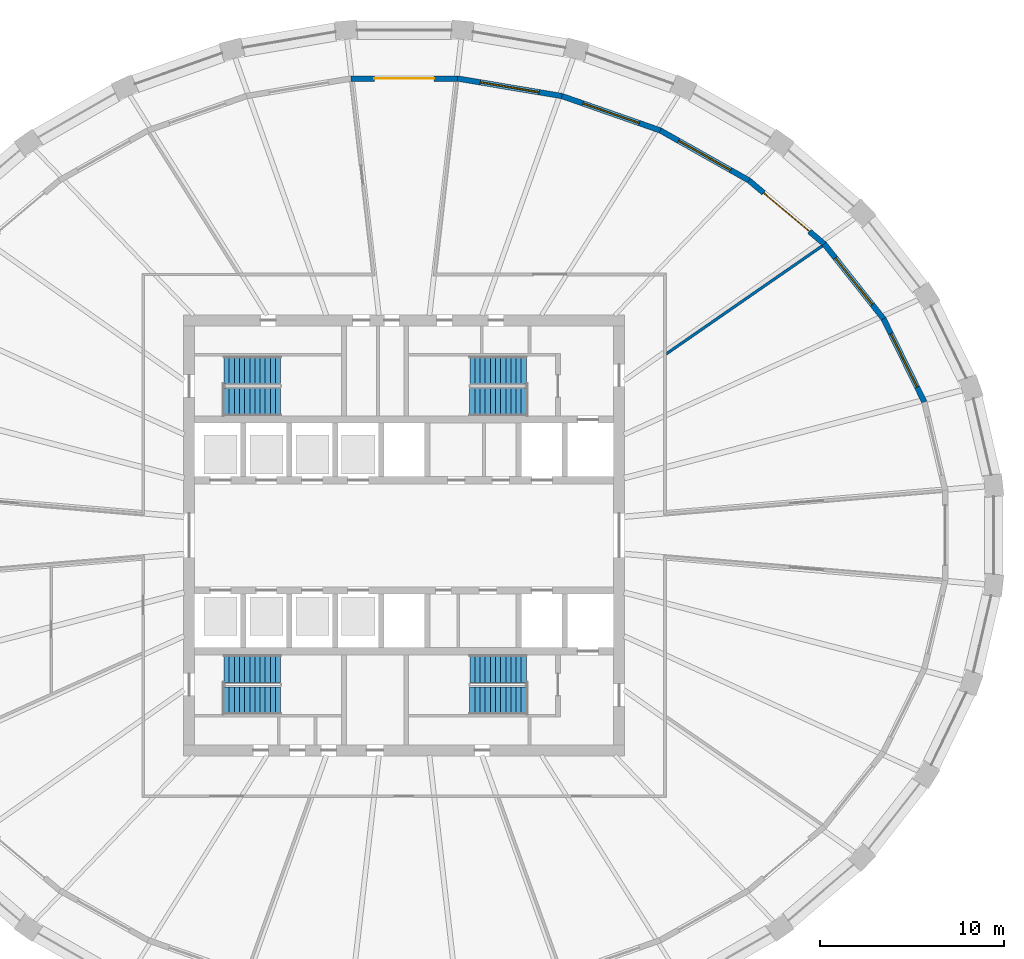
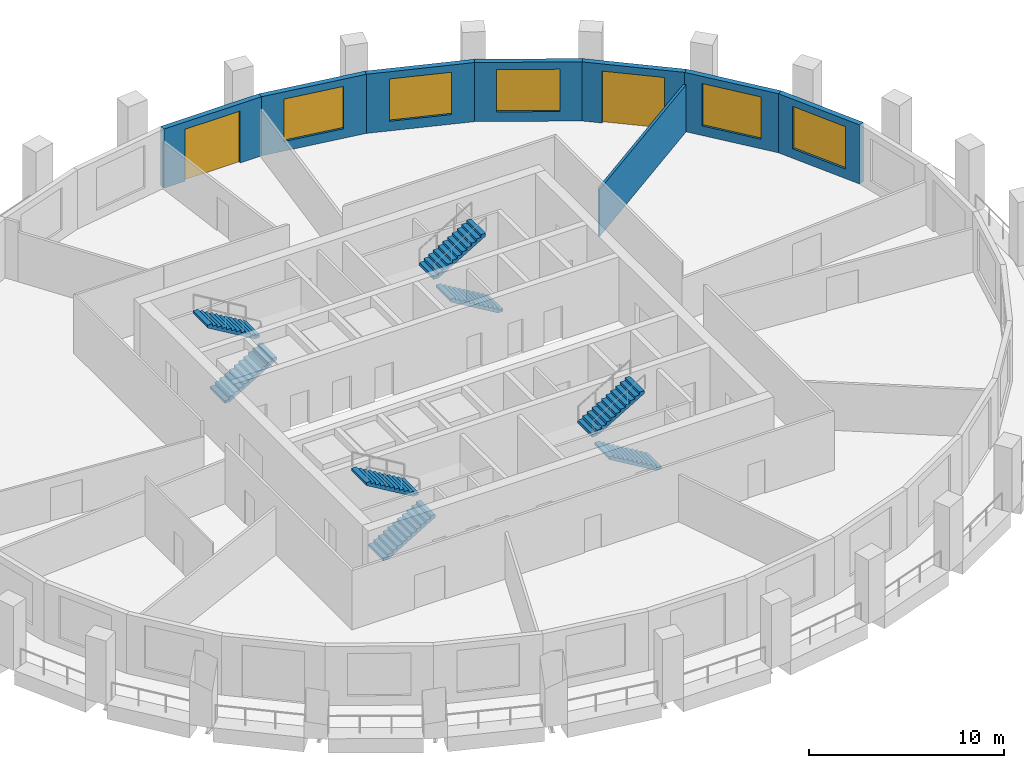
# One storey, part 7 of 10: 8 stair flights, 8 walls, 5 windows, 2 doors, 7 openings, 4 elements without a shape of their own.
"""IFC4 building model written with IfcOpenShell, lengths in metres."""

from ifc_helpers import new_model, si_unit, direction, frame, frame_2d, origin, place, context, subcontext, project, spatial, polyline, rectangle, outline, extrude, material, layer, layer_set, type_object, element, fill, aggregate, save


model = new_model("IFC4")

# Units and contexts
model_context = context("Model", 3, precision=1e-05, world=origin(), true_north=direction((0.0, 1.0)))
body_context = subcontext(model_context, "Body", "Model", "MODEL_VIEW")
ifc_project = project(units=[si_unit("LENGTHUNIT", "METRE"), si_unit("AREAUNIT", "SQUARE_METRE"), si_unit("VOLUMEUNIT", "CUBIC_METRE"), si_unit("PLANEANGLEUNIT", "RADIAN"), si_unit("MASSUNIT", "GRAM", prefix="KILO")], contexts=[model_context])

# Site, building, storey
site_placement = place(None, origin())
site = spatial("IfcSite", under=ifc_project, at=site_placement, CompositionType="ELEMENT")
building_placement = place(site_placement, origin())
building = spatial("IfcBuilding", under=site, at=building_placement, Name="Halqa Exchange Tower", CompositionType="ELEMENT")
storey_placement = place(building_placement, frame((0.0, 0.0, 206.89990234375)))
storey = spatial("IfcBuildingStorey", under=building, at=storey_placement, Name="L47", CompositionType="ELEMENT", Elevation=206.89990234375)

# Wall
ifc_material_1 = material(Name="Fire-rated gypsum board")
ifc_layer_1 = layer(ifc_material_1, 0.14990234375)
ifc_layer_set_1 = layer_set([ifc_layer_1], Name="Fire-rated gypsum board")
wall_type_1 = type_object("IfcWallType", Name="Fire partition EI 60 150", PredefinedType="PARTITIONING", material=ifc_layer_set_1)
wall_1_placement = place(storey_placement, frame((14.232421875, 9.8525390625, 0.0), z_axis=(0.0, 0.0, 1.0), x_axis=(0.822298116352, 0.569056946047, 0.0)))
element("IfcWall", 1, at=wall_1_placement, inside=storey, type_object=wall_type_1, Name="L47-PWL-020", PredefinedType="PARTITIONING", context=body_context, shape_type="SweptSolid", body=[
    extrude(outline(polyline([(10.370361328125, -0.074951171875), (10.370361328125, -0.070068359375), (10.36572265625, 0.001953125), (10.345947265625, 0.074951171875), (8.638916015625, 0.074951171875), (6.931884765625, 0.074951171875), (5.224853515625, 0.074951171875), (3.517822265625, 0.074951171875), (1.810791015625, 0.074951171875), (0.103759765625, 0.074951171875), (0.0, -0.07470703125), (0.0, -0.074951171875), (1.728515625, -0.074951171875), (3.456787109375, -0.074951171875), (5.18505859375, -0.074951171875), (6.91357421875, -0.074951171875), (8.64208984375, -0.074951171875), (10.370361328125, -0.074951171875)])), origin(), (0.0, 0.0, 1.0), 2.947021484375),
])

# Wall, opening, window
ifc_material_2 = material(Name="Limestone cladding", Category="masonry")
ifc_layer_2 = layer(ifc_material_2, 0.0400390625)
ifc_material_3 = material(Name="Ventilated cavity")
ifc_layer_3 = layer(ifc_material_3, 0.030029296875, ventilated=True)
ifc_material_4 = material(Name="Mineral wool insulation")
ifc_layer_4 = layer(ifc_material_4, 0.10009765625)
ifc_material_5 = material(Name="Concrete C30/37", Category="concrete")
ifc_layer_5 = layer(ifc_material_5, 0.10009765625)
ifc_material_6 = material(Name="Internal plaster")
ifc_layer_6 = layer(ifc_material_6, 0.030029296875)
ifc_layer_set_2 = layer_set([ifc_layer_2, ifc_layer_3, ifc_layer_4, ifc_layer_5, ifc_layer_6], Name="Stone-faced insulated wall 300")
wall_type_2 = type_object("IfcWallType", Name="Stone-faced insulated wall 300", PredefinedType="STANDARD", material=ifc_layer_set_2)
wall_2_placement = place(storey_placement, frame((28.311279296875, 7.259033203125, 0.0), z_axis=(0.0, 0.0, 1.0), x_axis=(-0.440773193145, 0.89761851151, 0.0)))
wall_2 = element("IfcWall", 2, at=wall_2_placement, inside=storey, type_object=wall_type_2, Name="Glass-line wall 2", PredefinedType="STANDARD", context=body_context, shape_type="SweptSolid", body=[
    extrude(outline(polyline([(-0.016845703125, -0.14990234375), (5.059326171875, -0.14990234375), (5.027099609375, 0.14990234375), (0.016845703125, 0.14990234375), (-0.016845703125, -0.14990234375)])), origin(), (0.0, 0.0, 1.0), 3.7001953125),
])
opening_1_placement = place(wall_2_placement, frame((0.896484375, 0.0, 0.60009765625)))
opening_1 = element("IfcOpeningElement", 3, at=opening_1_placement, cuts=wall_2, Name="Opening W-F3-02", PredefinedType="OPENING", context=body_context, shape_type="SweptSolid", body=[
    extrude(rectangle(XDim=3.25, YDim=2.64990234375, at=frame_2d((1.625, 1.324951171875))), frame((0.0, 0.162109375, 0.0), z_axis=(0.0, -1.0, 0.0), x_axis=(1.0, 0.0, 0.0)), (0.0, 0.0, 1.0), 0.323974609375),
])
ifc_material_7 = material(Name="Clear low-emissivity glass in aluminium frame", Category="aluminium")
window_type = type_object("IfcWindowType", Name="Fixed clear glazed window 3250 x 2650", PartitioningType="TRIPLE_PANEL_VERTICAL", PredefinedType="WINDOW", material=ifc_material_7)
window_1_placement = place(opening_1_placement, origin())
window_1 = element("IfcWindow", 4, at=window_1_placement, inside=storey, type_object=window_type, Name="Window 3", OverallHeight=2.64990234375, OverallWidth=3.25, PartitioningType="TRIPLE_PANEL_VERTICAL", PredefinedType="WINDOW", context=body_context, shape_type="SweptSolid", body=[
    extrude(rectangle(XDim=3.25, YDim=2.64990234375, at=frame_2d((1.625, 1.324951171875))), frame((0.0, 0.030029296875, 0.0), z_axis=(0.0, -1.0, 0.0), x_axis=(1.0, 0.0, 0.0)), (0.0, 0.0, 1.0), 0.06005859375),
])
fill(opening_1, window_1)

wall_3_placement = place(storey_placement, frame((26.08837890625, 11.785888671875, 0.0), z_axis=(0.0, 0.0, 1.0), x_axis=(-0.620870264345, 0.783913333763, 0.0)))
wall_3 = element("IfcWall", 5, at=wall_3_placement, inside=storey, type_object=wall_type_2, Name="Glass-line wall 3", PredefinedType="STANDARD", context=body_context, shape_type="SweptSolid", body=[
    extrude(outline(polyline([(-0.01611328125, -0.14990234375), (5.209716796875, -0.14990234375), (5.179443359375, 0.14990234375), (0.01611328125, 0.14990234375), (-0.01611328125, -0.14990234375)])), origin(), (0.0, 0.0, 1.0), 3.7001953125),
])
opening_2_placement = place(wall_3_placement, frame((0.97216796875, 0.0, 0.60009765625)))
opening_2 = element("IfcOpeningElement", 6, at=opening_2_placement, cuts=wall_3, Name="Opening W-F3-03", PredefinedType="OPENING", context=body_context, shape_type="SweptSolid", body=[
    extrude(rectangle(XDim=3.25, YDim=2.64990234375, at=frame_2d((1.625, 1.324951171875))), frame((0.0, 0.162109375, 0.0), z_axis=(0.0, -1.0, 0.0), x_axis=(1.0, 0.0, 0.0)), (0.0, 0.0, 1.0), 0.323974609375),
])
window_2_placement = place(opening_2_placement, origin())
window_2 = element("IfcWindow", 7, at=window_2_placement, inside=storey, type_object=window_type, Name="Window 3", OverallHeight=2.64990234375, OverallWidth=3.25, PartitioningType="TRIPLE_PANEL_VERTICAL", PredefinedType="WINDOW", context=body_context, shape_type="SweptSolid", body=[
    extrude(rectangle(XDim=3.25, YDim=2.64990234375, at=frame_2d((1.625, 1.324951171875))), frame((0.0, 0.030029296875, 0.0), z_axis=(0.0, -1.0, 0.0), x_axis=(1.0, 0.0, 0.0)), (0.0, 0.0, 1.0), 0.06005859375),
])
fill(opening_2, window_2)

# Wall, opening, door
wall_4_placement = place(storey_placement, frame((22.86328125, 15.85791015625, 0.0), z_axis=(0.0, 0.0, 1.0), x_axis=(-0.764386053229, 0.6447588399, 0.0)))
wall_4 = element("IfcWall", 8, at=wall_4_placement, inside=storey, type_object=wall_type_2, Name="Glass-line wall 4", PredefinedType="STANDARD", context=body_context, shape_type="SweptSolid", body=[
    extrude(outline(polyline([(-0.01513671875, -0.14990234375), (5.381591796875, -0.14990234375), (5.353271484375, 0.14990234375), (0.01513671875, 0.14990234375), (-0.01513671875, -0.14990234375)])), origin(), (0.0, 0.0, 1.0), 3.7001953125),
])
opening_3_placement = place(wall_4_placement, frame((1.058837890625, 0.0, 0.0)))
opening_3 = element("IfcOpeningElement", 9, at=opening_3_placement, cuts=wall_4, Name="Opening LG-F3-01", PredefinedType="OPENING", context=body_context, shape_type="SweptSolid", body=[
    extrude(rectangle(XDim=3.25, YDim=3.25, at=frame_2d((1.625, 1.625))), frame((0.0, 0.162109375, 0.0), z_axis=(0.0, -1.0, 0.0), x_axis=(1.0, 0.0, 0.0)), (0.0, 0.0, 1.0), 0.323974609375),
])
door_type = type_object("IfcDoorType", Name="Glazed sliding loggia door 3250 x 3250", OperationType="DOUBLE_DOOR_SLIDING", PredefinedType="DOOR", material=ifc_material_7)
door_1_placement = place(opening_3_placement, origin())
door_1 = element("IfcDoor", 10, at=door_1_placement, inside=storey, type_object=door_type, Name="Loggia door 1", OperationType="DOUBLE_DOOR_SLIDING", OverallHeight=3.25, OverallWidth=3.25, PredefinedType="DOOR", context=body_context, shape_type="SweptSolid", body=[
    extrude(rectangle(XDim=3.25, YDim=3.25, at=frame_2d((1.625, 1.625))), frame((0.0, 0.02490234375, 0.0), z_axis=(0.0, -1.0, 0.0), x_axis=(1.0, 0.0, 0.0)), (0.0, 0.0, 1.0), 0.050048828125),
])
fill(opening_3, door_1)

# Wall, opening, window
wall_5_placement = place(storey_placement, frame((18.760498046875, 19.318603515625, 0.0), z_axis=(0.0, 0.0, 1.0), x_axis=(-0.871140546168, 0.491033755278, 0.0)))
wall_5 = element("IfcWall", 11, at=wall_5_placement, inside=storey, type_object=wall_type_2, Name="Glass-line wall 5", PredefinedType="STANDARD", context=body_context, shape_type="SweptSolid", body=[
    extrude(outline(polyline([(-0.01416015625, -0.14990234375), (5.548828125, -0.14990234375), (5.52197265625, 0.14990234375), (0.01416015625, 0.14990234375), (-0.01416015625, -0.14990234375)])), origin(), (0.0, 0.0, 1.0), 3.7001953125),
])
opening_4_placement = place(wall_5_placement, frame((1.142578125, 0.0, 0.60009765625)))
opening_4 = element("IfcOpeningElement", 12, at=opening_4_placement, cuts=wall_5, Name="Opening W-F3-05", PredefinedType="OPENING", context=body_context, shape_type="SweptSolid", body=[
    extrude(rectangle(XDim=3.25, YDim=2.64990234375, at=frame_2d((1.625, 1.324951171875))), frame((0.0, 0.162109375, 0.0), z_axis=(0.0, -1.0, 0.0), x_axis=(1.0, 0.0, 0.0)), (0.0, 0.0, 1.0), 0.323974609375),
])
window_3_placement = place(opening_4_placement, origin())
window_3 = element("IfcWindow", 13, at=window_3_placement, inside=storey, type_object=window_type, Name="Window 3", OverallHeight=2.64990234375, OverallWidth=3.25, PartitioningType="TRIPLE_PANEL_VERTICAL", PredefinedType="WINDOW", context=body_context, shape_type="SweptSolid", body=[
    extrude(rectangle(XDim=3.25, YDim=2.64990234375, at=frame_2d((1.625, 1.324951171875))), frame((0.0, 0.030029296875, 0.0), z_axis=(0.0, -1.0, 0.0), x_axis=(1.0, 0.0, 0.0)), (0.0, 0.0, 1.0), 0.06005859375),
])
fill(opening_4, window_3)

wall_6_placement = place(storey_placement, frame((13.9384765625, 22.03662109375, 0.0), z_axis=(0.0, 0.0, 1.0), x_axis=(-0.944023272224, 0.329878858824, 0.0)))
wall_6 = element("IfcWall", 14, at=wall_6_placement, inside=storey, type_object=wall_type_2, Name="Glass-line wall 6", PredefinedType="STANDARD", context=body_context, shape_type="SweptSolid", body=[
    extrude(outline(polyline([(-0.013427734375, -0.14990234375), (5.686279296875, -0.14990234375), (5.660888671875, 0.14990234375), (0.013427734375, 0.14990234375), (-0.013427734375, -0.14990234375)])), origin(), (0.0, 0.0, 1.0), 3.7001953125),
])
opening_5_placement = place(wall_6_placement, frame((1.2119140625, 0.0, 0.60009765625)))
opening_5 = element("IfcOpeningElement", 15, at=opening_5_placement, cuts=wall_6, Name="Opening W-F3-06", PredefinedType="OPENING", context=body_context, shape_type="SweptSolid", body=[
    extrude(rectangle(XDim=3.25, YDim=2.64990234375, at=frame_2d((1.625, 1.324951171875))), frame((0.0, 0.162109375, 0.0), z_axis=(0.0, -1.0, 0.0), x_axis=(1.0, 0.0, 0.0)), (0.0, 0.0, 1.0), 0.323974609375),
])
window_4_placement = place(opening_5_placement, origin())
window_4 = element("IfcWindow", 16, at=window_4_placement, inside=storey, type_object=window_type, Name="Window 3", OverallHeight=2.64990234375, OverallWidth=3.25, PartitioningType="TRIPLE_PANEL_VERTICAL", PredefinedType="WINDOW", context=body_context, shape_type="SweptSolid", body=[
    extrude(rectangle(XDim=3.25, YDim=2.64990234375, at=frame_2d((1.625, 1.324951171875))), frame((0.0, 0.030029296875, 0.0), z_axis=(0.0, -1.0, 0.0), x_axis=(1.0, 0.0, 0.0)), (0.0, 0.0, 1.0), 0.06005859375),
])
fill(opening_5, window_4)

wall_7_placement = place(storey_placement, frame((8.58251953125, 23.908203125, 0.0), z_axis=(0.0, 0.0, 1.0), x_axis=(-0.98622052717, 0.165436005116, 0.0)))
wall_7 = element("IfcWall", 17, at=wall_7_placement, inside=storey, type_object=wall_type_2, Name="Glass-line wall 7", PredefinedType="STANDARD", context=body_context, shape_type="SweptSolid", body=[
    extrude(outline(polyline([(-0.0126953125, -0.14990234375), (5.776611328125, -0.14990234375), (5.751708984375, 0.14990234375), (0.0126953125, 0.14990234375), (-0.0126953125, -0.14990234375)])), origin(), (0.0, 0.0, 1.0), 3.7001953125),
])
opening_6_placement = place(wall_7_placement, frame((1.257080078125, 0.0, 0.60009765625)))
opening_6 = element("IfcOpeningElement", 18, at=opening_6_placement, cuts=wall_7, Name="Opening W-F3-07", PredefinedType="OPENING", context=body_context, shape_type="SweptSolid", body=[
    extrude(rectangle(XDim=3.25, YDim=2.64990234375, at=frame_2d((1.625, 1.324951171875))), frame((0.0, 0.162109375, 0.0), z_axis=(0.0, -1.0, 0.0), x_axis=(1.0, 0.0, 0.0)), (0.0, 0.0, 1.0), 0.323974609375),
])
window_5_placement = place(opening_6_placement, origin())
window_5 = element("IfcWindow", 19, at=window_5_placement, inside=storey, type_object=window_type, Name="Window 3", OverallHeight=2.64990234375, OverallWidth=3.25, PartitioningType="TRIPLE_PANEL_VERTICAL", PredefinedType="WINDOW", context=body_context, shape_type="SweptSolid", body=[
    extrude(rectangle(XDim=3.25, YDim=2.64990234375, at=frame_2d((1.625, 1.324951171875))), frame((0.0, 0.030029296875, 0.0), z_axis=(0.0, -1.0, 0.0), x_axis=(1.0, 0.0, 0.0)), (0.0, 0.0, 1.0), 0.06005859375),
])
fill(opening_6, window_5)

# Wall, opening, door
wall_8_placement = place(storey_placement, frame((2.897705078125, 24.86181640625, 0.0), z_axis=(0.0, 0.0, 1.0), x_axis=(-1.0, 0.0, 0.0)))
wall_8 = element("IfcWall", 20, at=wall_8_placement, inside=storey, type_object=wall_type_2, Name="Glass-line wall 8", PredefinedType="STANDARD", context=body_context, shape_type="SweptSolid", body=[
    extrude(outline(polyline([(-0.012451171875, -0.14990234375), (5.807861328125, -0.14990234375), (5.782958984375, 0.14990234375), (0.012451171875, 0.14990234375), (-0.012451171875, -0.14990234375)])), origin(), (0.0, 0.0, 1.0), 3.7001953125),
])
opening_7_placement = place(wall_8_placement, frame((1.272705078125, 0.0, 0.0)))
opening_7 = element("IfcOpeningElement", 21, at=opening_7_placement, cuts=wall_8, Name="Opening LG-F3-02", PredefinedType="OPENING", context=body_context, shape_type="SweptSolid", body=[
    extrude(rectangle(XDim=3.25, YDim=3.25, at=frame_2d((1.625, 1.625))), frame((0.0, 0.162109375, 0.0), z_axis=(0.0, -1.0, 0.0), x_axis=(1.0, 0.0, 0.0)), (0.0, 0.0, 1.0), 0.323974609375),
])
door_2_placement = place(opening_7_placement, origin())
door_2 = element("IfcDoor", 22, at=door_2_placement, inside=storey, type_object=door_type, Name="Loggia door 2", OperationType="DOUBLE_DOOR_SLIDING", OverallHeight=3.25, OverallWidth=3.25, PredefinedType="DOOR", context=body_context, shape_type="SweptSolid", body=[
    extrude(rectangle(XDim=3.25, YDim=3.25, at=frame_2d((1.625, 1.625))), frame((0.0, 0.02490234375, 0.0), z_axis=(0.0, -1.0, 0.0), x_axis=(1.0, 0.0, 0.0)), (0.0, 0.0, 1.0), 0.050048828125),
])
fill(opening_7, door_2)

# Stair, stair flights
stair_type = type_object("IfcStairType", Name="Exit stair 1500 wide", PredefinedType="HALF_TURN_STAIR", material=ifc_material_5)
stair_1_placement = place(storey_placement, origin())
stair_1 = element("IfcStair", 23, at=stair_1_placement, inside=storey, type_object=stair_type, Name="Exit stair ST1", PredefinedType="HALF_TURN_STAIR")
stair_flight_type = type_object("IfcStairFlightType", Name="Stair flight 1500 wide", PredefinedType="STRAIGHT", material=ifc_material_5)
stair_flight_1_placement = place(storey_placement, frame((-9.800048828125, 7.25, 0.0), z_axis=(0.0, 0.0, 1.0), x_axis=(1.0, 0.0, 0.0)))
stair_flight_1 = element("IfcStairFlight", 24, at=stair_flight_1_placement, type_object=stair_flight_type, Name="ST1 flight 1", NumberOfRisers=12, NumberOfTreads=11, PredefinedType="STRAIGHT", RiserHeight=0.166666667, TreadLength=0.28, context=body_context, shape_type="SweptSolid", body=[
    extrude(outline(polyline([(0.0, 0.0), (0.0, 0.166748046875), (0.280029296875, 0.166748046875), (0.280029296875, 0.333251953125), (0.56005859375, 0.333251953125), (0.56005859375, 0.5), (0.840087890625, 0.5), (0.840087890625, 0.666748046875), (1.1201171875, 0.666748046875), (1.1201171875, 0.833251953125), (1.39990234375, 0.833251953125), (1.39990234375, 1.0), (1.679931640625, 1.0), (1.679931640625, 1.166748046875), (1.9599609375, 1.166748046875), (1.9599609375, 1.333251953125), (2.239990234375, 1.333251953125), (2.239990234375, 1.5), (2.52001953125, 1.5), (2.52001953125, 1.666748046875), (2.800048828125, 1.666748046875), (2.800048828125, 1.833251953125), (3.080078125, 1.833251953125), (3.080078125, 2.0), (3.080078125, 1.658935546875), (0.29296875, 0.0), (0.0, 0.0)])), frame((0.0, 0.75, 0.0), z_axis=(0.0, -1.0, 0.0), x_axis=(1.0, 0.0, 0.0)), (0.0, 0.0, 1.0), 1.5),
])
stair_flight_2_placement = place(storey_placement, frame((-6.719970703125, 9.0, 2.0), z_axis=(0.0, 0.0, 1.0), x_axis=(-1.0, 0.0, 0.0)))
stair_flight_2 = element("IfcStairFlight", 25, at=stair_flight_2_placement, type_object=stair_flight_type, Name="ST1 flight 2", NumberOfRisers=12, NumberOfTreads=11, PredefinedType="STRAIGHT", RiserHeight=0.166666667, TreadLength=0.28, context=body_context, shape_type="SweptSolid", body=[
    extrude(outline(polyline([(0.0, 0.0), (0.0, 0.166748046875), (0.280029296875, 0.166748046875), (0.280029296875, 0.333251953125), (0.56005859375, 0.333251953125), (0.56005859375, 0.5), (0.840087890625, 0.5), (0.840087890625, 0.666748046875), (1.1201171875, 0.666748046875), (1.1201171875, 0.833251953125), (1.39990234375, 0.833251953125), (1.39990234375, 1.0), (1.679931640625, 1.0), (1.679931640625, 1.166748046875), (1.9599609375, 1.166748046875), (1.9599609375, 1.333251953125), (2.239990234375, 1.333251953125), (2.239990234375, 1.5), (2.52001953125, 1.5), (2.52001953125, 1.666748046875), (2.800048828125, 1.666748046875), (2.800048828125, 1.833251953125), (3.080078125, 1.833251953125), (3.080078125, 2.0), (3.080078125, 1.658935546875), (0.29296875, 0.0), (0.0, 0.0)])), frame((0.0, 0.75, 0.0), z_axis=(0.0, -1.0, 0.0), x_axis=(1.0, 0.0, 0.0)), (0.0, 0.0, 1.0), 1.5),
])
aggregate(stair_1, [stair_flight_1, stair_flight_2])

stair_2_placement = place(storey_placement, origin())
stair_2 = element("IfcStair", 26, at=stair_2_placement, inside=storey, type_object=stair_type, Name="Exit stair ST2", PredefinedType="HALF_TURN_STAIR")
stair_flight_3_placement = place(storey_placement, frame((6.64990234375, 7.25, 0.0), z_axis=(0.0, 0.0, 1.0), x_axis=(-1.0, 0.0, 0.0)))
stair_flight_3 = element("IfcStairFlight", 27, at=stair_flight_3_placement, type_object=stair_flight_type, Name="ST2 flight 1", NumberOfRisers=12, NumberOfTreads=11, PredefinedType="STRAIGHT", RiserHeight=0.166666667, TreadLength=0.28, context=body_context, shape_type="SweptSolid", body=[
    extrude(outline(polyline([(0.0, 0.0), (0.0, 0.166748046875), (0.280029296875, 0.166748046875), (0.280029296875, 0.333251953125), (0.56005859375, 0.333251953125), (0.56005859375, 0.5), (0.840087890625, 0.5), (0.840087890625, 0.666748046875), (1.1201171875, 0.666748046875), (1.1201171875, 0.833251953125), (1.39990234375, 0.833251953125), (1.39990234375, 1.0), (1.679931640625, 1.0), (1.679931640625, 1.166748046875), (1.9599609375, 1.166748046875), (1.9599609375, 1.333251953125), (2.239990234375, 1.333251953125), (2.239990234375, 1.5), (2.52001953125, 1.5), (2.52001953125, 1.666748046875), (2.800048828125, 1.666748046875), (2.800048828125, 1.833251953125), (3.080078125, 1.833251953125), (3.080078125, 2.0), (3.080078125, 1.658935546875), (0.29296875, 0.0), (0.0, 0.0)])), frame((0.0, 0.75, 0.0), z_axis=(0.0, -1.0, 0.0), x_axis=(1.0, 0.0, 0.0)), (0.0, 0.0, 1.0), 1.5),
])
stair_flight_4_placement = place(storey_placement, frame((3.570068359375, 9.0, 2.0), z_axis=(0.0, 0.0, 1.0), x_axis=(1.0, 0.0, 0.0)))
stair_flight_4 = element("IfcStairFlight", 28, at=stair_flight_4_placement, type_object=stair_flight_type, Name="ST2 flight 2", NumberOfRisers=12, NumberOfTreads=11, PredefinedType="STRAIGHT", RiserHeight=0.166666667, TreadLength=0.28, context=body_context, shape_type="SweptSolid", body=[
    extrude(outline(polyline([(0.0, 0.0), (0.0, 0.166748046875), (0.280029296875, 0.166748046875), (0.280029296875, 0.333251953125), (0.56005859375, 0.333251953125), (0.56005859375, 0.5), (0.840087890625, 0.5), (0.840087890625, 0.666748046875), (1.1201171875, 0.666748046875), (1.1201171875, 0.833251953125), (1.39990234375, 0.833251953125), (1.39990234375, 1.0), (1.679931640625, 1.0), (1.679931640625, 1.166748046875), (1.9599609375, 1.166748046875), (1.9599609375, 1.333251953125), (2.239990234375, 1.333251953125), (2.239990234375, 1.5), (2.52001953125, 1.5), (2.52001953125, 1.666748046875), (2.800048828125, 1.666748046875), (2.800048828125, 1.833251953125), (3.080078125, 1.833251953125), (3.080078125, 2.0), (3.080078125, 1.658935546875), (0.29296875, 0.0), (0.0, 0.0)])), frame((0.0, 0.75, 0.0), z_axis=(0.0, -1.0, 0.0), x_axis=(1.0, 0.0, 0.0)), (0.0, 0.0, 1.0), 1.5),
])
aggregate(stair_2, [stair_flight_3, stair_flight_4])

stair_3_placement = place(storey_placement, origin())
stair_3 = element("IfcStair", 29, at=stair_3_placement, inside=storey, type_object=stair_type, Name="Exit stair ST3", PredefinedType="HALF_TURN_STAIR")
stair_flight_5_placement = place(storey_placement, frame((-9.800048828125, -9.0, 0.0), z_axis=(0.0, 0.0, 1.0), x_axis=(1.0, 0.0, 0.0)))
stair_flight_5 = element("IfcStairFlight", 30, at=stair_flight_5_placement, type_object=stair_flight_type, Name="ST3 flight 1", NumberOfRisers=12, NumberOfTreads=11, PredefinedType="STRAIGHT", RiserHeight=0.166666667, TreadLength=0.28, context=body_context, shape_type="SweptSolid", body=[
    extrude(outline(polyline([(0.0, 0.0), (0.0, 0.166748046875), (0.280029296875, 0.166748046875), (0.280029296875, 0.333251953125), (0.56005859375, 0.333251953125), (0.56005859375, 0.5), (0.840087890625, 0.5), (0.840087890625, 0.666748046875), (1.1201171875, 0.666748046875), (1.1201171875, 0.833251953125), (1.39990234375, 0.833251953125), (1.39990234375, 1.0), (1.679931640625, 1.0), (1.679931640625, 1.166748046875), (1.9599609375, 1.166748046875), (1.9599609375, 1.333251953125), (2.239990234375, 1.333251953125), (2.239990234375, 1.5), (2.52001953125, 1.5), (2.52001953125, 1.666748046875), (2.800048828125, 1.666748046875), (2.800048828125, 1.833251953125), (3.080078125, 1.833251953125), (3.080078125, 2.0), (3.080078125, 1.658935546875), (0.29296875, 0.0), (0.0, 0.0)])), frame((0.0, 0.75, 0.0), z_axis=(0.0, -1.0, 0.0), x_axis=(1.0, 0.0, 0.0)), (0.0, 0.0, 1.0), 1.5),
])
stair_flight_6_placement = place(storey_placement, frame((-6.719970703125, -7.25, 2.0), z_axis=(0.0, 0.0, 1.0), x_axis=(-1.0, 0.0, 0.0)))
stair_flight_6 = element("IfcStairFlight", 31, at=stair_flight_6_placement, type_object=stair_flight_type, Name="ST3 flight 2", NumberOfRisers=12, NumberOfTreads=11, PredefinedType="STRAIGHT", RiserHeight=0.166666667, TreadLength=0.28, context=body_context, shape_type="SweptSolid", body=[
    extrude(outline(polyline([(0.0, 0.0), (0.0, 0.166748046875), (0.280029296875, 0.166748046875), (0.280029296875, 0.333251953125), (0.56005859375, 0.333251953125), (0.56005859375, 0.5), (0.840087890625, 0.5), (0.840087890625, 0.666748046875), (1.1201171875, 0.666748046875), (1.1201171875, 0.833251953125), (1.39990234375, 0.833251953125), (1.39990234375, 1.0), (1.679931640625, 1.0), (1.679931640625, 1.166748046875), (1.9599609375, 1.166748046875), (1.9599609375, 1.333251953125), (2.239990234375, 1.333251953125), (2.239990234375, 1.5), (2.52001953125, 1.5), (2.52001953125, 1.666748046875), (2.800048828125, 1.666748046875), (2.800048828125, 1.833251953125), (3.080078125, 1.833251953125), (3.080078125, 2.0), (3.080078125, 1.658935546875), (0.29296875, 0.0), (0.0, 0.0)])), frame((0.0, 0.75, 0.0), z_axis=(0.0, -1.0, 0.0), x_axis=(1.0, 0.0, 0.0)), (0.0, 0.0, 1.0), 1.5),
])
aggregate(stair_3, [stair_flight_5, stair_flight_6])

stair_4_placement = place(storey_placement, origin())
stair_4 = element("IfcStair", 32, at=stair_4_placement, inside=storey, type_object=stair_type, Name="Exit stair ST4", PredefinedType="HALF_TURN_STAIR")
stair_flight_7_placement = place(storey_placement, frame((6.64990234375, -9.0, 0.0), z_axis=(0.0, 0.0, 1.0), x_axis=(-1.0, 0.0, 0.0)))
stair_flight_7 = element("IfcStairFlight", 33, at=stair_flight_7_placement, type_object=stair_flight_type, Name="ST4 flight 1", NumberOfRisers=12, NumberOfTreads=11, PredefinedType="STRAIGHT", RiserHeight=0.166666667, TreadLength=0.28, context=body_context, shape_type="SweptSolid", body=[
    extrude(outline(polyline([(0.0, 0.0), (0.0, 0.166748046875), (0.280029296875, 0.166748046875), (0.280029296875, 0.333251953125), (0.56005859375, 0.333251953125), (0.56005859375, 0.5), (0.840087890625, 0.5), (0.840087890625, 0.666748046875), (1.1201171875, 0.666748046875), (1.1201171875, 0.833251953125), (1.39990234375, 0.833251953125), (1.39990234375, 1.0), (1.679931640625, 1.0), (1.679931640625, 1.166748046875), (1.9599609375, 1.166748046875), (1.9599609375, 1.333251953125), (2.239990234375, 1.333251953125), (2.239990234375, 1.5), (2.52001953125, 1.5), (2.52001953125, 1.666748046875), (2.800048828125, 1.666748046875), (2.800048828125, 1.833251953125), (3.080078125, 1.833251953125), (3.080078125, 2.0), (3.080078125, 1.658935546875), (0.29296875, 0.0), (0.0, 0.0)])), frame((0.0, 0.75, 0.0), z_axis=(0.0, -1.0, 0.0), x_axis=(1.0, 0.0, 0.0)), (0.0, 0.0, 1.0), 1.5),
])
stair_flight_8_placement = place(storey_placement, frame((3.570068359375, -7.25, 2.0), z_axis=(0.0, 0.0, 1.0), x_axis=(1.0, 0.0, 0.0)))
stair_flight_8 = element("IfcStairFlight", 34, at=stair_flight_8_placement, type_object=stair_flight_type, Name="ST4 flight 2", NumberOfRisers=12, NumberOfTreads=11, PredefinedType="STRAIGHT", RiserHeight=0.166666667, TreadLength=0.28, context=body_context, shape_type="SweptSolid", body=[
    extrude(outline(polyline([(0.0, 0.0), (0.0, 0.166748046875), (0.280029296875, 0.166748046875), (0.280029296875, 0.333251953125), (0.56005859375, 0.333251953125), (0.56005859375, 0.5), (0.840087890625, 0.5), (0.840087890625, 0.666748046875), (1.1201171875, 0.666748046875), (1.1201171875, 0.833251953125), (1.39990234375, 0.833251953125), (1.39990234375, 1.0), (1.679931640625, 1.0), (1.679931640625, 1.166748046875), (1.9599609375, 1.166748046875), (1.9599609375, 1.333251953125), (2.239990234375, 1.333251953125), (2.239990234375, 1.5), (2.52001953125, 1.5), (2.52001953125, 1.666748046875), (2.800048828125, 1.666748046875), (2.800048828125, 1.833251953125), (3.080078125, 1.833251953125), (3.080078125, 2.0), (3.080078125, 1.658935546875), (0.29296875, 0.0), (0.0, 0.0)])), frame((0.0, 0.75, 0.0), z_axis=(0.0, -1.0, 0.0), x_axis=(1.0, 0.0, 0.0)), (0.0, 0.0, 1.0), 1.5),
])
aggregate(stair_4, [stair_flight_7, stair_flight_8])

save(model, "model.ifc")
